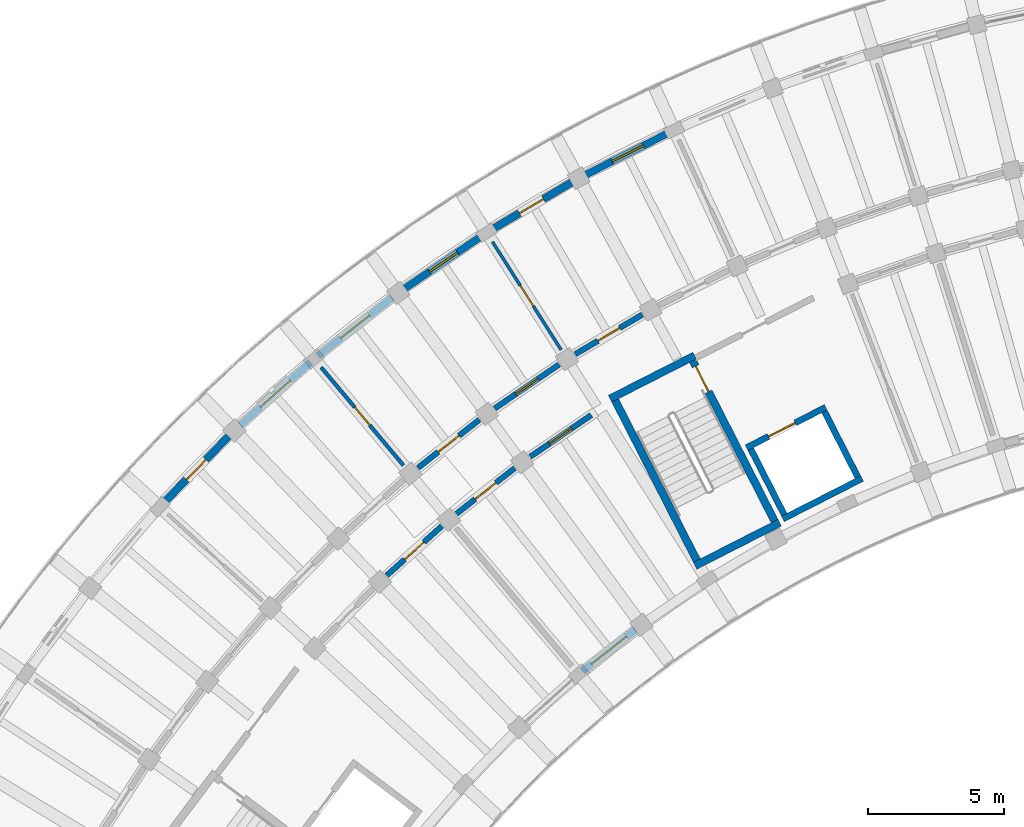
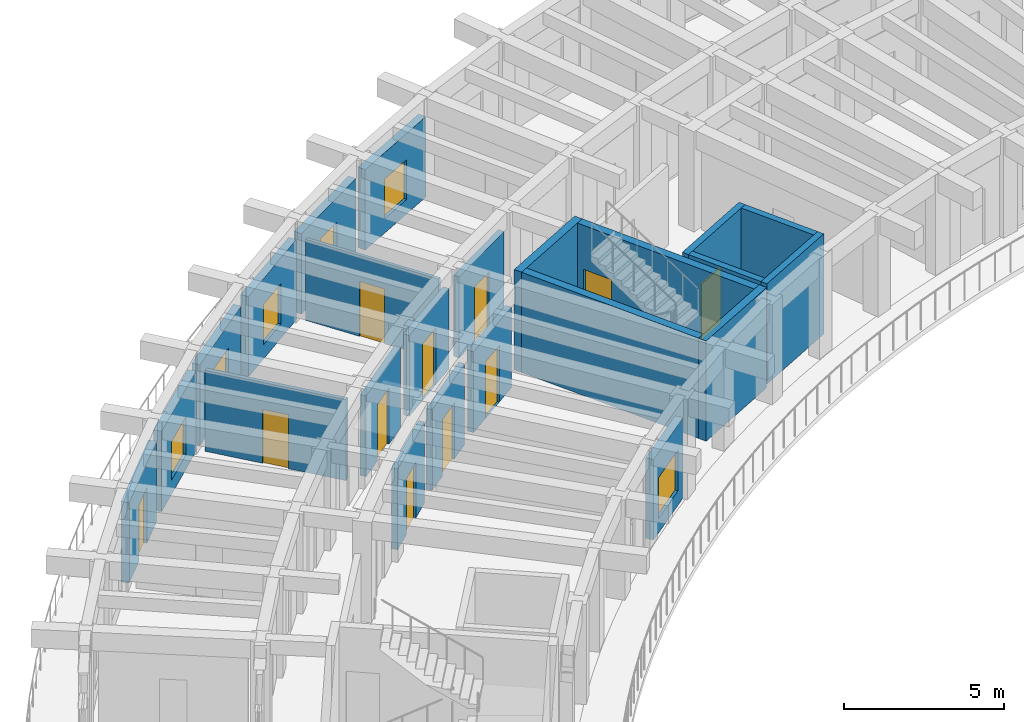
# One storey, part 89 of 128: 23 walls, 12 doors, 5 windows, 17 openings.
"""IFC4 building model written with IfcOpenShell, lengths in metres."""

from ifc_helpers import new_model, si_unit, direction, frame, frame_2d, origin, place, context, subcontext, project, spatial, rectangle, extrude, material, layer, layer_set, type_object, element, fill, save


model = new_model("IFC4")

# Units and contexts
model_context = context("Model", 3, precision=1e-05, world=origin(), true_north=direction((0.0, 1.0)))
body_context = subcontext(model_context, "Body", "Model", "MODEL_VIEW")
ifc_project = project(units=[si_unit("LENGTHUNIT", "METRE"), si_unit("AREAUNIT", "SQUARE_METRE"), si_unit("VOLUMEUNIT", "CUBIC_METRE"), si_unit("PLANEANGLEUNIT", "RADIAN"), si_unit("MASSUNIT", "GRAM", prefix="KILO")], contexts=[model_context])

# Site, building, storey
site_placement = place(None, origin())
site = spatial("IfcSite", under=ifc_project, at=site_placement, CompositionType="ELEMENT")
building_placement = place(site_placement, origin())
building = spatial("IfcBuilding", under=site, at=building_placement, Name="Tanwirah Colonnade Gardens", CompositionType="ELEMENT")
storey_placement = place(building_placement, frame((0.0, 0.0, 4.760009765625)))
storey = spatial("IfcBuildingStorey", under=building, at=storey_placement, Name="L01", CompositionType="ELEMENT", Elevation=4.760009765625)

# Wall, opening, window
ifc_material_1 = material(Name="Limestone architectural precast concrete C40/50", Category="masonry")
ifc_layer_1 = layer(ifc_material_1, 0.27001953125)
ifc_layer_set_1 = layer_set([ifc_layer_1], Name="Limestone architectural precast concrete C40/50")
wall_type_1 = type_object("IfcWallType", Name="EW-PC270", PredefinedType="SOLIDWALL", material=ifc_layer_set_1)
wall_1_placement = place(storey_placement, frame((39.777099609375, 114.13818359375, 0.0), z_axis=(0.0, 0.0, 1.0), x_axis=(-0.892772658884, -0.450507468915, 0.0)))
wall_1 = element("IfcWall", 1, at=wall_1_placement, inside=storey, type_object=wall_type_1, Name="Block A L01 OUT Precast Facade Wall 5", PredefinedType="SOLIDWALL", context=body_context, shape_type="SweptSolid", body=[
    extrude(rectangle(XDim=3.465576171875, YDim=0.27001953125, at=frame_2d((1.73291015625, 0.0))), origin(), (0.0, 0.0, 1.0), 3.074951171875),
])
opening_1_placement = place(wall_1_placement, frame((1.093017578125, 0.0, 0.550048828125)))
opening_1 = element("IfcOpeningElement", 2, at=opening_1_placement, cuts=wall_1, Name="Opening WIN-T17", PredefinedType="OPENING", context=body_context, shape_type="SweptSolid", body=[
    extrude(rectangle(XDim=1.280029296875, YDim=1.52001953125, at=frame_2d((0.64013671875, 0.760009765625))), frame((0.0, 0.14501953125, 0.0), z_axis=(0.0, -1.0, 0.0), x_axis=(1.0, 0.0, 0.0)), (0.0, 0.0, 1.0), 0.2900390625),
])
ifc_material_2 = material(Name="Thermally broken bronze aluminium and solar low-E double glazing", Category="aluminium")
window_type_1 = type_object("IfcWindowType", Name="WIN-T17", PartitioningType="SINGLE_PANEL", PredefinedType="WINDOW", material=ifc_material_2)
window_1_placement = place(opening_1_placement, origin())
window_1 = element("IfcWindow", 3, at=window_1_placement, inside=storey, type_object=window_type_1, Name="Facade window A-L01-OUT-05", OverallHeight=1.52001953125, OverallWidth=1.280029296875, PartitioningType="SINGLE_PANEL", PredefinedType="WINDOW", context=body_context, shape_type="SweptSolid", body=[
    extrude(rectangle(XDim=1.280029296875, YDim=1.52001953125, at=frame_2d((0.64013671875, 0.760009765625))), frame((0.0, 0.030029296875, 0.0), z_axis=(0.0, -1.0, 0.0), x_axis=(1.0, 0.0, 0.0)), (0.0, 0.0, 1.0), 0.06005859375),
])
fill(opening_1, window_1)

# Wall, opening, door
wall_2_placement = place(storey_placement, frame((36.19189453125, 112.308349609375, 0.0), z_axis=(0.0, 0.0, 1.0), x_axis=(-0.861120000949, -0.508401754487, 0.0)))
wall_2 = element("IfcWall", 4, at=wall_2_placement, inside=storey, type_object=wall_type_1, Name="Block A L01 OUT Precast Facade Wall 6", PredefinedType="SOLIDWALL", context=body_context, shape_type="SweptSolid", body=[
    extrude(rectangle(XDim=3.465576171875, YDim=0.27001953125, at=frame_2d((1.73291015625, 0.0))), origin(), (0.0, 0.0, 1.0), 3.074951171875),
])
opening_2_placement = place(wall_2_placement, frame((1.222900390625, 0.0, 0.0)))
opening_2 = element("IfcOpeningElement", 5, at=opening_2_placement, cuts=wall_2, Name="Opening L01-ED005", PredefinedType="OPENING", context=body_context, shape_type="SweptSolid", body=[
    extrude(rectangle(XDim=1.02001953125, YDim=2.139892578125, at=frame_2d((0.510009765625, 1.06982421875))), frame((0.0, 0.14501953125, 0.0), z_axis=(0.0, -1.0, 0.0), x_axis=(1.0, 0.0, 0.0)), (0.0, 0.0, 1.0), 0.2900390625),
])
ifc_material_3 = material(Name="Bronze aluminium glazed balcony door", Category="aluminium")
door_type_1 = type_object("IfcDoorType", Name="ED-BAL102", OperationType="NOTDEFINED", PredefinedType="DOOR", material=ifc_material_3)
door_1_placement = place(opening_2_placement, origin())
door_1 = element("IfcDoor", 6, at=door_1_placement, inside=storey, type_object=door_type_1, Name="Balcony glazed door L01-ED005", OperationType="SINGLE_SWING_RIGHT", OverallHeight=2.139892578125, OverallWidth=1.02001953125, PredefinedType="DOOR", context=body_context, shape_type="SweptSolid", body=[
    extrude(rectangle(XDim=1.02001953125, YDim=2.139892578125, at=frame_2d((0.510009765625, 1.06982421875))), frame((0.0, 0.02490234375, 0.0), z_axis=(0.0, -1.0, 0.0), x_axis=(1.0, 0.0, 0.0)), (0.0, 0.0, 1.0), 0.050048828125),
])
fill(opening_2, door_1)

# Wall, opening, window
wall_3_placement = place(storey_placement, frame((32.90380859375, 110.353515625, 0.0), z_axis=(0.0, 0.0, 1.0), x_axis=(-0.825744165268, -0.564044832904, 0.0)))
wall_3 = element("IfcWall", 7, at=wall_3_placement, inside=storey, type_object=wall_type_1, Name="Block A L01 OUT Precast Facade Wall 7", PredefinedType="SOLIDWALL", context=body_context, shape_type="SweptSolid", body=[
    extrude(rectangle(XDim=3.4658203125, YDim=0.27001953125, at=frame_2d((1.73291015625, 0.0))), origin(), (0.0, 0.0, 1.0), 3.074951171875),
])
opening_3_placement = place(wall_3_placement, frame((1.11279296875, 0.0, 0.550048828125)))
opening_3 = element("IfcOpeningElement", 8, at=opening_3_placement, cuts=wall_3, Name="Opening WIN-U03", PredefinedType="OPENING", context=body_context, shape_type="SweptSolid", body=[
    extrude(rectangle(XDim=1.239990234375, YDim=1.534912109375, at=frame_2d((0.6201171875, 0.767578125))), frame((0.0, 0.14501953125, 0.0), z_axis=(0.0, -1.0, 0.0), x_axis=(1.0, 0.0, 0.0)), (0.0, 0.0, 1.0), 0.2900390625),
])
window_type_2 = type_object("IfcWindowType", Name="WIN-U03", PartitioningType="DOUBLE_PANEL_VERTICAL", PredefinedType="WINDOW", material=ifc_material_2)
window_2_placement = place(opening_3_placement, origin())
window_2 = element("IfcWindow", 9, at=window_2_placement, inside=storey, type_object=window_type_2, Name="Facade window A-L01-OUT-07", OverallHeight=1.534912109375, OverallWidth=1.239990234375, PartitioningType="SINGLE_PANEL", PredefinedType="WINDOW", context=body_context, shape_type="SweptSolid", body=[
    extrude(rectangle(XDim=1.239990234375, YDim=1.534912109375, at=frame_2d((0.6201171875, 0.767578125))), frame((0.0, 0.030029296875, 0.0), z_axis=(0.0, -1.0, 0.0), x_axis=(1.0, 0.0, 0.0)), (0.0, 0.0, 1.0), 0.06005859375),
])
fill(opening_3, window_2)

wall_4_placement = place(storey_placement, frame((29.590576171875, 108.068115234375, 0.0), z_axis=(0.0, 0.0, 1.0), x_axis=(-0.786811832484, -0.617192952214, 0.0)))
wall_4 = element("IfcWall", 10, at=wall_4_placement, inside=storey, type_object=wall_type_1, Name="Block A L01 OUT Precast Facade Wall 8", PredefinedType="SOLIDWALL", context=body_context, shape_type="SweptSolid", body=[
    extrude(rectangle(XDim=3.466064453125, YDim=0.27001953125, at=frame_2d((1.73291015625, 0.0))), origin(), (0.0, 0.0, 1.0), 3.074951171875),
])
opening_4_placement = place(wall_4_placement, frame((1.052978515625, 0.0, 0.550048828125)))
opening_4 = element("IfcOpeningElement", 11, at=opening_4_placement, cuts=wall_4, Name="Opening WIN-U06", PredefinedType="OPENING", context=body_context, shape_type="SweptSolid", body=[
    extrude(rectangle(XDim=1.360107421875, YDim=1.610107421875, at=frame_2d((0.68017578125, 0.80517578125))), frame((0.0, 0.14501953125, 0.0), z_axis=(0.0, -1.0, 0.0), x_axis=(1.0, 0.0, 0.0)), (0.0, 0.0, 1.0), 0.2900390625),
])
window_type_3 = type_object("IfcWindowType", Name="WIN-U06", PartitioningType="DOUBLE_PANEL_VERTICAL", PredefinedType="WINDOW", material=ifc_material_2)
window_3_placement = place(opening_4_placement, origin())
window_3 = element("IfcWindow", 12, at=window_3_placement, inside=storey, type_object=window_type_3, Name="Facade window A-L01-OUT-08", OverallHeight=1.610107421875, OverallWidth=1.360107421875, PartitioningType="SINGLE_PANEL", PredefinedType="WINDOW", context=body_context, shape_type="SweptSolid", body=[
    extrude(rectangle(XDim=1.360107421875, YDim=1.610107421875, at=frame_2d((0.68017578125, 0.80517578125))), frame((0.0, 0.030029296875, 0.0), z_axis=(0.0, -1.0, 0.0), x_axis=(1.0, 0.0, 0.0)), (0.0, 0.0, 1.0), 0.06005859375),
])
fill(opening_4, window_3)

wall_5_placement = place(storey_placement, frame((38.513427734375, 95.886474609375, 0.0), z_axis=(0.0, 0.0, 1.0), x_axis=(-0.786801657762, -0.617205922965, 0.0)))
wall_5 = element("IfcWall", 13, at=wall_5_placement, inside=storey, type_object=wall_type_1, Name="Block A L01 IN Precast Facade Wall 8", PredefinedType="SOLIDWALL", context=body_context, shape_type="SweptSolid", body=[
    extrude(rectangle(XDim=2.47021484375, YDim=0.27001953125, at=frame_2d((1.235107421875, 0.0))), origin(), (0.0, 0.0, 1.0), 3.074951171875),
])
opening_5_placement = place(wall_5_placement, frame((0.4150390625, 0.0, 0.550048828125)))
opening_5 = element("IfcOpeningElement", 14, at=opening_5_placement, cuts=wall_5, Name="Opening WIN-U13", PredefinedType="OPENING", context=body_context, shape_type="SweptSolid", body=[
    extrude(rectangle(XDim=1.639892578125, YDim=1.56005859375, at=frame_2d((0.81982421875, 0.780029296875))), frame((0.0, 0.14501953125, 0.0), z_axis=(0.0, -1.0, 0.0), x_axis=(1.0, 0.0, 0.0)), (0.0, 0.0, 1.0), 0.2900390625),
])
window_type_4 = type_object("IfcWindowType", Name="WIN-U13", PartitioningType="DOUBLE_PANEL_VERTICAL", PredefinedType="WINDOW", material=ifc_material_2)
window_4_placement = place(opening_5_placement, origin())
window_4 = element("IfcWindow", 15, at=window_4_placement, inside=storey, type_object=window_type_4, Name="Facade window A-L01-IN-08", OverallHeight=1.56005859375, OverallWidth=1.639892578125, PartitioningType="SINGLE_PANEL", PredefinedType="WINDOW", context=body_context, shape_type="SweptSolid", body=[
    extrude(rectangle(XDim=1.639892578125, YDim=1.56005859375, at=frame_2d((0.81982421875, 0.780029296875))), frame((0.0, 0.030029296875, 0.0), z_axis=(0.0, -1.0, 0.0), x_axis=(1.0, 0.0, 0.0)), (0.0, 0.0, 1.0), 0.06005859375),
])
fill(opening_5, window_4)

wall_6_placement = place(storey_placement, frame((26.587890625, 105.69775390625, 0.0), z_axis=(0.0, 0.0, 1.0), x_axis=(-0.744424533251, -0.667706607945, 0.0)))
wall_6 = element("IfcWall", 16, at=wall_6_placement, inside=storey, type_object=wall_type_1, Name="Block A L01 OUT Precast Facade Wall 9", PredefinedType="SOLIDWALL", context=body_context, shape_type="SweptSolid", body=[
    extrude(rectangle(XDim=3.465576171875, YDim=0.27001953125, at=frame_2d((1.73291015625, 0.0))), origin(), (0.0, 0.0, 1.0), 3.074951171875),
])
opening_6_placement = place(wall_6_placement, frame((0.992919921875, 0.0, 0.550048828125)))
opening_6 = element("IfcOpeningElement", 17, at=opening_6_placement, cuts=wall_6, Name="Opening WIN-U09", PredefinedType="OPENING", context=body_context, shape_type="SweptSolid", body=[
    extrude(rectangle(XDim=1.47998046875, YDim=1.4599609375, at=frame_2d((0.739990234375, 0.72998046875))), frame((0.0, 0.14501953125, 0.0), z_axis=(0.0, -1.0, 0.0), x_axis=(1.0, 0.0, 0.0)), (0.0, 0.0, 1.0), 0.2900390625),
])
window_type_5 = type_object("IfcWindowType", Name="WIN-U09", PartitioningType="DOUBLE_PANEL_VERTICAL", PredefinedType="WINDOW", material=ifc_material_2)
window_5_placement = place(opening_6_placement, origin())
window_5 = element("IfcWindow", 18, at=window_5_placement, inside=storey, type_object=window_type_5, Name="Facade window A-L01-OUT-09", OverallHeight=1.4599609375, OverallWidth=1.47998046875, PartitioningType="SINGLE_PANEL", PredefinedType="WINDOW", context=body_context, shape_type="SweptSolid", body=[
    extrude(rectangle(XDim=1.47998046875, YDim=1.4599609375, at=frame_2d((0.739990234375, 0.72998046875))), frame((0.0, 0.030029296875, 0.0), z_axis=(0.0, -1.0, 0.0), x_axis=(1.0, 0.0, 0.0)), (0.0, 0.0, 1.0), 0.06005859375),
])
fill(opening_6, window_5)

# Wall, opening, door
wall_7_placement = place(storey_placement, frame((23.603759765625, 102.99658203125, 0.0), z_axis=(0.0, 0.0, 1.0), x_axis=(-0.698816652755, -0.715300835895, 0.0)))
wall_7 = element("IfcWall", 19, at=wall_7_placement, inside=storey, type_object=wall_type_1, Name="Block A L01 OUT Precast Facade Wall 10", PredefinedType="SOLIDWALL", context=body_context, shape_type="SweptSolid", body=[
    extrude(rectangle(XDim=3.465576171875, YDim=0.27001953125, at=frame_2d((1.73291015625, 0.0))), origin(), (0.0, 0.0, 1.0), 3.074951171875),
])
opening_7_placement = place(wall_7_placement, frame((1.222900390625, 0.0, 0.0)))
opening_7 = element("IfcOpeningElement", 20, at=opening_7_placement, cuts=wall_7, Name="Opening L01-ED006", PredefinedType="OPENING", context=body_context, shape_type="SweptSolid", body=[
    extrude(rectangle(XDim=1.02001953125, YDim=2.139892578125, at=frame_2d((0.510009765625, 1.06982421875))), frame((0.0, 0.14501953125, 0.0), z_axis=(0.0, -1.0, 0.0), x_axis=(1.0, 0.0, 0.0)), (0.0, 0.0, 1.0), 0.2900390625),
])
door_2_placement = place(opening_7_placement, origin())
door_2 = element("IfcDoor", 21, at=door_2_placement, inside=storey, type_object=door_type_1, Name="Balcony glazed door L01-ED006", OperationType="SINGLE_SWING_RIGHT", OverallHeight=2.139892578125, OverallWidth=1.02001953125, PredefinedType="DOOR", context=body_context, shape_type="SweptSolid", body=[
    extrude(rectangle(XDim=1.02001953125, YDim=2.139892578125, at=frame_2d((0.510009765625, 1.06982421875))), frame((0.0, 0.02490234375, 0.0), z_axis=(0.0, -1.0, 0.0), x_axis=(1.0, 0.0, 0.0)), (0.0, 0.0, 1.0), 0.050048828125),
])
fill(opening_7, door_2)

ifc_material_4 = material(Name="Precast concrete C40/50", Category="concrete")
ifc_layer_2 = layer(ifc_material_4, 0.205078125)
ifc_layer_set_2 = layer_set([ifc_layer_2], Name="Precast concrete C40/50")
wall_type_2 = type_object("IfcWallType", Name="IW-CORR205", PredefinedType="PARTITIONING", material=ifc_layer_set_2)
wall_8_placement = place(storey_placement, frame((38.77001953125, 107.447021484375, 0.0), z_axis=(0.0, 0.0, 1.0), x_axis=(-0.861113214678, -0.508413248753, 0.0)))
wall_8 = element("IfcWall", 22, at=wall_8_placement, inside=storey, type_object=wall_type_2, Name="Block A L01 OUT Corridor Wall 6", PredefinedType="PARTITIONING", context=body_context, shape_type="SweptSolid", body=[
    extrude(rectangle(XDim=2.863037109375, YDim=0.205078125, at=frame_2d((1.431640625, 0.0))), origin(), (0.0, 0.0, 1.0), 3.090087890625),
])
opening_8_placement = place(wall_8_placement, frame((0.966552734375, 0.0, 0.0)))
opening_8 = element("IfcOpeningElement", 23, at=opening_8_placement, cuts=wall_8, Name="Opening L01-AD277", PredefinedType="OPENING", context=body_context, shape_type="SweptSolid", body=[
    extrude(rectangle(XDim=0.929931640625, YDim=2.1201171875, at=frame_2d((0.46484375, 1.06005859375))), frame((0.0, 0.112548828125, 0.0), z_axis=(0.0, -1.0, 0.0), x_axis=(1.0, 0.0, 0.0)), (0.0, 0.0, 1.0), 0.22509765625),
])
ifc_material_5 = material(Name="Solid oak fire-resisting apartment entrance door")
door_type_2 = type_object("IfcDoorType", Name="ID-FLT093", OperationType="NOTDEFINED", PredefinedType="DOOR", material=ifc_material_5)
door_3_placement = place(opening_8_placement, origin())
door_3 = element("IfcDoor", 24, at=door_3_placement, inside=storey, type_object=door_type_2, Name="Apartment corridor door L01-AD277", OperationType="SINGLE_SWING_RIGHT", OverallHeight=2.1201171875, OverallWidth=0.929931640625, PredefinedType="DOOR", context=body_context, shape_type="SweptSolid", body=[
    extrude(rectangle(XDim=0.929931640625, YDim=2.1201171875, at=frame_2d((0.46484375, 1.06005859375))), frame((0.0, 0.02490234375, 0.0), z_axis=(0.0, -1.0, 0.0), x_axis=(1.0, 0.0, 0.0)), (0.0, 0.0, 1.0), 0.050048828125),
])
fill(opening_8, door_3)

wall_9_placement = place(storey_placement, frame((35.714111328125, 105.615966796875, 0.0), z_axis=(0.0, 0.0, 1.0), x_axis=(-0.825779671787, -0.563992848947, 0.0)))
wall_9 = element("IfcWall", 25, at=wall_9_placement, inside=storey, type_object=wall_type_2, Name="Block A L01 OUT Corridor Wall 7", PredefinedType="PARTITIONING", context=body_context, shape_type="SweptSolid", body=[
    extrude(rectangle(XDim=2.863037109375, YDim=0.205078125, at=frame_2d((1.431640625, 0.0))), origin(), (0.0, 0.0, 1.0), 3.090087890625),
])
opening_9_placement = place(wall_9_placement, frame((0.9365234375, 0.0, 0.0)))
opening_9 = element("IfcOpeningElement", 26, at=opening_9_placement, cuts=wall_9, Name="Opening L01-AD279", PredefinedType="OPENING", context=body_context, shape_type="SweptSolid", body=[
    extrude(rectangle(XDim=0.989990234375, YDim=2.159912109375, at=frame_2d((0.4951171875, 1.080078125))), frame((0.0, 0.112548828125, 0.0), z_axis=(0.0, -1.0, 0.0), x_axis=(1.0, 0.0, 0.0)), (0.0, 0.0, 1.0), 0.22509765625),
])
door_type_3 = type_object("IfcDoorType", Name="ID-FLT099", OperationType="NOTDEFINED", PredefinedType="DOOR", material=ifc_material_5)
door_4_placement = place(opening_9_placement, origin())
door_4 = element("IfcDoor", 27, at=door_4_placement, inside=storey, type_object=door_type_3, Name="Apartment corridor door L01-AD279", OperationType="SINGLE_SWING_LEFT", OverallHeight=2.159912109375, OverallWidth=0.989990234375, PredefinedType="DOOR", context=body_context, shape_type="SweptSolid", body=[
    extrude(rectangle(XDim=0.989990234375, YDim=2.159912109375, at=frame_2d((0.4951171875, 1.080078125))), frame((0.0, 0.02490234375, 0.0), z_axis=(0.0, -1.0, 0.0), x_axis=(1.0, 0.0, 0.0)), (0.0, 0.0, 1.0), 0.050048828125),
])
fill(opening_9, door_4)

wall_10_placement = place(storey_placement, frame((36.89453125, 103.759521484375, 0.0), z_axis=(0.0, 0.0, 1.0), x_axis=(-0.825752009056, -0.56403334967, 0.0)))
wall_10 = element("IfcWall", 28, at=wall_10_placement, inside=storey, type_object=wall_type_2, Name="Block A L01 IN Corridor Wall 7", PredefinedType="PARTITIONING", context=body_context, shape_type="SweptSolid", body=[
    extrude(rectangle(XDim=2.71826171875, YDim=0.205078125, at=frame_2d((1.359130859375, 0.0))), origin(), (0.0, 0.0, 1.0), 3.090087890625),
])
opening_10_placement = place(wall_10_placement, frame((0.864013671875, 0.0, 0.0)))
opening_10 = element("IfcOpeningElement", 29, at=opening_10_placement, cuts=wall_10, Name="Opening L01-AD280", PredefinedType="OPENING", context=body_context, shape_type="SweptSolid", body=[
    extrude(rectangle(XDim=0.989990234375, YDim=2.159912109375, at=frame_2d((0.4951171875, 1.080078125))), frame((0.0, 0.112548828125, 0.0), z_axis=(0.0, -1.0, 0.0), x_axis=(1.0, 0.0, 0.0)), (0.0, 0.0, 1.0), 0.22509765625),
])
door_5_placement = place(opening_10_placement, origin())
door_5 = element("IfcDoor", 30, at=door_5_placement, inside=storey, type_object=door_type_3, Name="Apartment corridor door L01-AD280", OperationType="SINGLE_SWING_RIGHT", OverallHeight=2.159912109375, OverallWidth=0.989990234375, PredefinedType="DOOR", context=body_context, shape_type="SweptSolid", body=[
    extrude(rectangle(XDim=0.989990234375, YDim=2.159912109375, at=frame_2d((0.4951171875, 1.080078125))), frame((0.0, 0.02490234375, 0.0), z_axis=(0.0, -1.0, 0.0), x_axis=(1.0, 0.0, 0.0)), (0.0, 0.0, 1.0), 0.050048828125),
])
fill(opening_10, door_5)

wall_11_placement = place(storey_placement, frame((32.785400390625, 103.587890625, 0.0), z_axis=(0.0, 0.0, 1.0), x_axis=(-0.786806323554, -0.617199975061, 0.0)))
wall_11 = element("IfcWall", 31, at=wall_11_placement, inside=storey, type_object=wall_type_2, Name="Block A L01 OUT Corridor Wall 8", PredefinedType="PARTITIONING", context=body_context, shape_type="SweptSolid", body=[
    extrude(rectangle(XDim=2.863037109375, YDim=0.205078125, at=frame_2d((1.431640625, 0.0))), origin(), (0.0, 0.0, 1.0), 3.090087890625),
])
opening_11_placement = place(wall_11_placement, frame((0.946533203125, 0.0, 0.0)))
opening_11 = element("IfcOpeningElement", 32, at=opening_11_placement, cuts=wall_11, Name="Opening L01-AD281", PredefinedType="OPENING", context=body_context, shape_type="SweptSolid", body=[
    extrude(rectangle(XDim=0.969970703125, YDim=2.14990234375, at=frame_2d((0.48486328125, 1.074951171875))), frame((0.0, 0.112548828125, 0.0), z_axis=(0.0, -1.0, 0.0), x_axis=(1.0, 0.0, 0.0)), (0.0, 0.0, 1.0), 0.22509765625),
])
door_type_4 = type_object("IfcDoorType", Name="ID-FLT097", OperationType="NOTDEFINED", PredefinedType="DOOR", material=ifc_material_5)
door_6_placement = place(opening_11_placement, origin())
door_6 = element("IfcDoor", 33, at=door_6_placement, inside=storey, type_object=door_type_4, Name="Apartment corridor door L01-AD281", OperationType="SINGLE_SWING_RIGHT", OverallHeight=2.14990234375, OverallWidth=0.969970703125, PredefinedType="DOOR", context=body_context, shape_type="SweptSolid", body=[
    extrude(rectangle(XDim=0.969970703125, YDim=2.14990234375, at=frame_2d((0.48486328125, 1.074951171875))), frame((0.0, 0.02490234375, 0.0), z_axis=(0.0, -1.0, 0.0), x_axis=(1.0, 0.0, 0.0)), (0.0, 0.0, 1.0), 0.050048828125),
])
fill(opening_11, door_6)

wall_12_placement = place(storey_placement, frame((34.08544921875, 101.81298828125, 0.0), z_axis=(0.0, 0.0, 1.0), x_axis=(-0.786835457019, -0.617162833924, 0.0)))
wall_12 = element("IfcWall", 34, at=wall_12_placement, inside=storey, type_object=wall_type_2, Name="Block A L01 IN Corridor Wall 8", PredefinedType="PARTITIONING", context=body_context, shape_type="SweptSolid", body=[
    extrude(rectangle(XDim=2.718017578125, YDim=0.205078125, at=frame_2d((1.35888671875, 0.0))), origin(), (0.0, 0.0, 1.0), 3.090087890625),
])
opening_12_placement = place(wall_12_placement, frame((0.8740234375, 0.0, 0.0)))
opening_12 = element("IfcOpeningElement", 35, at=opening_12_placement, cuts=wall_12, Name="Opening L01-AD282", PredefinedType="OPENING", context=body_context, shape_type="SweptSolid", body=[
    extrude(rectangle(XDim=0.969970703125, YDim=2.14990234375, at=frame_2d((0.48486328125, 1.074951171875))), frame((0.0, 0.112548828125, 0.0), z_axis=(0.0, -1.0, 0.0), x_axis=(1.0, 0.0, 0.0)), (0.0, 0.0, 1.0), 0.22509765625),
])
door_7_placement = place(opening_12_placement, origin())
door_7 = element("IfcDoor", 36, at=door_7_placement, inside=storey, type_object=door_type_4, Name="Apartment corridor door L01-AD282", OperationType="SINGLE_SWING_LEFT", OverallHeight=2.14990234375, OverallWidth=0.969970703125, PredefinedType="DOOR", context=body_context, shape_type="SweptSolid", body=[
    extrude(rectangle(XDim=0.969970703125, YDim=2.14990234375, at=frame_2d((0.48486328125, 1.074951171875))), frame((0.0, 0.02490234375, 0.0), z_axis=(0.0, -1.0, 0.0), x_axis=(1.0, 0.0, 0.0)), (0.0, 0.0, 1.0), 0.050048828125),
])
fill(opening_12, door_7)

wall_13_placement = place(storey_placement, frame((31.410888671875, 99.685791015625, 0.0), z_axis=(0.0, 0.0, 1.0), x_axis=(-0.744418559135, -0.667713268413, 0.0)))
wall_13 = element("IfcWall", 37, at=wall_13_placement, inside=storey, type_object=wall_type_2, Name="Block A L01 IN Corridor Wall 9", PredefinedType="PARTITIONING", context=body_context, shape_type="SweptSolid", body=[
    extrude(rectangle(XDim=2.71826171875, YDim=0.205078125, at=frame_2d((1.359130859375, 0.0))), origin(), (0.0, 0.0, 1.0), 3.090087890625),
])
opening_13_placement = place(wall_13_placement, frame((0.884033203125, 0.0, 0.0)))
opening_13 = element("IfcOpeningElement", 38, at=opening_13_placement, cuts=wall_13, Name="Opening L01-AD285", PredefinedType="OPENING", context=body_context, shape_type="SweptSolid", body=[
    extrude(rectangle(XDim=0.949951171875, YDim=2.1298828125, at=frame_2d((0.47509765625, 1.06494140625))), frame((0.0, 0.112548828125, 0.0), z_axis=(0.0, -1.0, 0.0), x_axis=(1.0, 0.0, 0.0)), (0.0, 0.0, 1.0), 0.22509765625),
])
door_type_5 = type_object("IfcDoorType", Name="ID-FLT095", OperationType="NOTDEFINED", PredefinedType="DOOR", material=ifc_material_5)
door_8_placement = place(opening_13_placement, origin())
door_8 = element("IfcDoor", 39, at=door_8_placement, inside=storey, type_object=door_type_5, Name="Apartment corridor door L01-AD285", OperationType="SINGLE_SWING_RIGHT", OverallHeight=2.1298828125, OverallWidth=0.949951171875, PredefinedType="DOOR", context=body_context, shape_type="SweptSolid", body=[
    extrude(rectangle(XDim=0.949951171875, YDim=2.1298828125, at=frame_2d((0.47509765625, 1.06494140625))), frame((0.0, 0.02490234375, 0.0), z_axis=(0.0, -1.0, 0.0), x_axis=(1.0, 0.0, 0.0)), (0.0, 0.0, 1.0), 0.050048828125),
])
fill(opening_13, door_8)

ifc_material_6 = material(Name="Acoustic gypsum stud partition")
ifc_layer_3 = layer(ifc_material_6, 0.114990234375)
ifc_layer_set_3 = layer_set([ifc_layer_3], Name="Acoustic gypsum stud partition")
wall_type_3 = type_object("IfcWallType", Name="IW-INT115", PredefinedType="PARTITIONING", material=ifc_layer_set_3)
wall_14_placement = place(storey_placement, frame((35.78857421875, 106.151123046875, 0.0), z_axis=(0.0, 0.0, 1.0), x_axis=(-0.536492262982, 0.843905238614, 0.0)))
wall_14 = element("IfcWall", 40, at=wall_14_placement, inside=storey, type_object=wall_type_3, Name="Block A L01 Radial Partition 6", PredefinedType="PARTITIONING", context=body_context, shape_type="SweptSolid", body=[
    extrude(rectangle(XDim=4.699951171875, YDim=0.114990234375, at=frame_2d((2.35009765625, 0.0))), origin(), (0.0, 0.0, 1.0), 3.090087890625),
])
opening_14_placement = place(wall_14_placement, frame((1.905029296875, 0.0, 0.0)))
opening_14 = element("IfcOpeningElement", 41, at=opening_14_placement, cuts=wall_14, Name="Opening L01-RD278", PredefinedType="OPENING", context=body_context, shape_type="SweptSolid", body=[
    extrude(rectangle(XDim=0.889892578125, YDim=2.10009765625, at=frame_2d((0.44482421875, 1.050048828125))), frame((0.0, 0.0673828125, 0.0), z_axis=(0.0, -1.0, 0.0), x_axis=(1.0, 0.0, 0.0)), (0.0, 0.0, 1.0), 0.135009765625),
])
ifc_material_7 = material(Name="Painted hardwood bedroom door", Category="wood")
door_type_6 = type_object("IfcDoorType", Name="ID-RM089", OperationType="NOTDEFINED", PredefinedType="DOOR", material=ifc_material_7)
door_9_placement = place(opening_14_placement, origin())
door_9 = element("IfcDoor", 42, at=door_9_placement, inside=storey, type_object=door_type_6, Name="Internal apartment door L01-RD278", OperationType="SINGLE_SWING_RIGHT", OverallHeight=2.10009765625, OverallWidth=0.889892578125, PredefinedType="DOOR", context=body_context, shape_type="SweptSolid", body=[
    extrude(rectangle(XDim=0.889892578125, YDim=2.10009765625, at=frame_2d((0.44482421875, 1.050048828125))), frame((0.0, 0.02490234375, 0.0), z_axis=(0.0, -1.0, 0.0), x_axis=(1.0, 0.0, 0.0)), (0.0, 0.0, 1.0), 0.050048828125),
])
fill(opening_14, door_9)

ifc_material_8 = material(Name="Water-resistant acoustic plumbing partition")
ifc_layer_4 = layer(ifc_material_8, 0.139892578125)
ifc_layer_set_4 = layer_set([ifc_layer_4], Name="Water-resistant acoustic plumbing partition")
wall_type_4 = type_object("IfcWallType", Name="IW-WET140", PredefinedType="PLUMBINGWALL", material=ifc_layer_set_4)
wall_15_placement = place(storey_placement, frame((30.000244140625, 101.9111328125, 0.0), z_axis=(0.0, 0.0, 1.0), x_axis=(-0.642811926223, 0.766024038465, 0.0)))
wall_15 = element("IfcWall", 43, at=wall_15_placement, inside=storey, type_object=wall_type_4, Name="Block A L01 Radial Partition 8", PredefinedType="PLUMBINGWALL", context=body_context, shape_type="SweptSolid", body=[
    extrude(rectangle(XDim=4.699951171875, YDim=0.139892578125, at=frame_2d((2.35009765625, 0.0))), origin(), (0.0, 0.0, 1.0), 3.090087890625),
])
opening_15_placement = place(wall_15_placement, frame((1.919921875, 0.0, 0.0)))
opening_15 = element("IfcOpeningElement", 44, at=opening_15_placement, cuts=wall_15, Name="Opening L01-RD283", PredefinedType="OPENING", context=body_context, shape_type="SweptSolid", body=[
    extrude(rectangle(XDim=0.860107421875, YDim=2.06005859375, at=frame_2d((0.43017578125, 1.030029296875))), frame((0.0, 0.079833984375, 0.0), z_axis=(0.0, -1.0, 0.0), x_axis=(1.0, 0.0, 0.0)), (0.0, 0.0, 1.0), 0.159912109375),
])
ifc_material_9 = material(Name="Moisture-resistant bathroom door")
door_type_7 = type_object("IfcDoorType", Name="ID-WET086", OperationType="NOTDEFINED", PredefinedType="DOOR", material=ifc_material_9)
door_10_placement = place(opening_15_placement, origin())
door_10 = element("IfcDoor", 45, at=door_10_placement, inside=storey, type_object=door_type_7, Name="Internal apartment door L01-RD283", OperationType="SINGLE_SWING_RIGHT", OverallHeight=2.06005859375, OverallWidth=0.860107421875, PredefinedType="DOOR", context=body_context, shape_type="SweptSolid", body=[
    extrude(rectangle(XDim=0.860107421875, YDim=2.06005859375, at=frame_2d((0.43017578125, 1.030029296875))), frame((0.0, 0.02490234375, 0.0), z_axis=(0.0, -1.0, 0.0), x_axis=(1.0, 0.0, 0.0)), (0.0, 0.0, 1.0), 0.050048828125),
])
fill(opening_15, door_10)

# Walls
ifc_material_10 = material(Name="Concrete C45/55", Category="concrete")
ifc_layer_5 = layer(ifc_material_10, 0.280029296875)
ifc_layer_set_5 = layer_set([ifc_layer_5], Name="Concrete C45/55")
wall_type_5 = type_object("IfcWallType", Name="SW-CORE280", PredefinedType="SHEAR", material=ifc_layer_set_5)
wall_16_placement = place(storey_placement, frame((37.7734375, 104.295654296875, 0.0), z_axis=(0.0, 0.0, 1.0), x_axis=(0.453992276384, -0.891005618941, 0.0)))
element("IfcWall", 46, at=wall_16_placement, inside=storey, type_object=wall_type_5, Name="CORE-A1 L01 Stair Shaft Shear Wall LEFT", PredefinedType="SHEAR", context=body_context, shape_type="SweptSolid", body=[
    extrude(rectangle(XDim=6.599853515625, YDim=0.280029296875, at=frame_2d((3.2998046875, 0.0))), origin(), (0.0, 0.0, 1.0), 3.830078125),
])
for number, where, z_axis, x_axis, name in (
    (47, (40.708740234375, 98.2265625, 0.0), (0.0, 0.0, 1.0), (0.891005763861, 0.453991991964, 0.0), "CORE-A1 L01 Stair Shaft Shear Wall FAR"),
    (48, (37.585205078125, 104.356689453125, 0.0), (0.0, 0.0, 1.0), (0.891020222667, 0.453963613958, 0.0), "CORE-A1 L01 Stair Shaft Shear Wall NEAR"),
):
    element("IfcWall", number, at=place(storey_placement, frame(where, z_axis=z_axis, x_axis=x_axis)), inside=storey, type_object=wall_type_5, Name=name, PredefinedType="SHEAR", context=body_context, shape_type="SweptSolid", body=[
        extrude(rectangle(XDim=3.47998046875, YDim=0.280029296875, at=frame_2d((1.739990234375, 0.0))), origin(), (0.0, 0.0, 1.0), 3.830078125),
    ])

# Wall, opening, door
wall_17_placement = place(storey_placement, frame((40.624755859375, 105.748291015625, 0.0), z_axis=(0.0, 0.0, 1.0), x_axis=(0.453992276384, -0.891005618941, 0.0)))
wall_17 = element("IfcWall", 49, at=wall_17_placement, inside=storey, type_object=wall_type_5, Name="CORE-A1 L01 Stair Shaft Shear Wall RIGHT", PredefinedType="SHEAR", context=body_context, shape_type="SweptSolid", body=[
    extrude(rectangle(XDim=6.599853515625, YDim=0.280029296875, at=frame_2d((3.2998046875, 0.0))), origin(), (0.0, 0.0, 1.0), 3.830078125),
])
opening_16_placement = place(wall_17_placement, frame((0.219970703125, 0.0, 0.0)))
opening_16 = element("IfcOpeningElement", 50, at=opening_16_placement, cuts=wall_17, Name="Opening L01-SD003", PredefinedType="OPENING", context=body_context, shape_type="SweptSolid", body=[
    extrude(rectangle(XDim=1.050048828125, YDim=2.14990234375, at=frame_2d((0.52490234375, 1.074951171875))), frame((0.0, 0.14990234375, 0.0), z_axis=(0.0, -1.0, 0.0), x_axis=(1.0, 0.0, 0.0)), (0.0, 0.0, 1.0), 0.300048828125),
])
ifc_material_11 = material(Name="Steel fire-resisting stair enclosure door", Category="steel")
door_type_8 = type_object("IfcDoorType", Name="ID-ST105", OperationType="NOTDEFINED", PredefinedType="DOOR", material=ifc_material_11)
door_11_placement = place(opening_16_placement, origin())
door_11 = element("IfcDoor", 51, at=door_11_placement, inside=storey, type_object=door_type_8, Name="CORE-A1 L01 Stair Fire Door L01-SD003", OperationType="SINGLE_SWING_RIGHT", OverallHeight=2.14990234375, OverallWidth=1.050048828125, PredefinedType="DOOR", context=body_context, shape_type="SweptSolid", body=[
    extrude(rectangle(XDim=1.050048828125, YDim=2.14990234375, at=frame_2d((0.52490234375, 1.074951171875))), frame((0.0, 0.02490234375, 0.0), z_axis=(0.0, -1.0, 0.0), x_axis=(1.0, 0.0, 0.0)), (0.0, 0.0, 1.0), 0.050048828125),
])
fill(opening_16, door_11)

ifc_layer_6 = layer(ifc_material_10, 0.22998046875)
ifc_layer_set_6 = layer_set([ifc_layer_6], Name="Concrete C45/55")
wall_type_6 = type_object("IfcWallType", Name="SW-LIFT230", PredefinedType="SHEAR", material=ifc_layer_set_6)
wall_18_placement = place(storey_placement, frame((42.5966796875, 102.561279296875, 0.0), z_axis=(0.0, 0.0, 1.0), x_axis=(0.891001200497, 0.454000947921, 0.0)))
wall_18 = element("IfcWall", 52, at=wall_18_placement, inside=storey, type_object=wall_type_6, Name="CORE-A1 L01 Lift Shaft Wall FRONT", PredefinedType="SHEAR", context=body_context, shape_type="SweptSolid", body=[
    extrude(rectangle(XDim=3.259765625, YDim=0.22998046875, at=frame_2d((1.6298828125, 0.0))), origin(), (0.0, 0.0, 1.0), 3.830078125),
])
opening_17_placement = place(wall_18_placement, frame((0.89990234375, 0.0, 0.0)))
opening_17 = element("IfcOpeningElement", 53, at=opening_17_placement, cuts=wall_18, Name="Opening L01-LD-FL-A1", PredefinedType="OPENING", context=body_context, shape_type="SweptSolid", body=[
    extrude(rectangle(XDim=1.10009765625, YDim=2.14990234375, at=frame_2d((0.550048828125, 1.074951171875))), frame((0.0, 0.125, 0.0), z_axis=(0.0, -1.0, 0.0), x_axis=(1.0, 0.0, 0.0)), (0.0, 0.0, 1.0), 0.25),
])
ifc_material_12 = material(Name="Stainless steel sliding fire lift landing door", Category="steel")
door_type_9 = type_object("IfcDoorType", Name="LD-FF11", OperationType="DOUBLE_DOOR_SLIDING", PredefinedType="DOOR", material=ifc_material_12)
door_12_placement = place(opening_17_placement, origin())
door_12 = element("IfcDoor", 54, at=door_12_placement, inside=storey, type_object=door_type_9, Name="Lift FL-A1 L01 Sliding Landing Door", OperationType="DOUBLE_DOOR_SLIDING", OverallHeight=2.14990234375, OverallWidth=1.10009765625, PredefinedType="DOOR", context=body_context, shape_type="SweptSolid", body=[
    extrude(rectangle(XDim=1.10009765625, YDim=2.14990234375, at=frame_2d((0.550048828125, 1.074951171875))), frame((0.0, 0.02490234375, 0.0), z_axis=(0.0, -1.0, 0.0), x_axis=(1.0, 0.0, 0.0)), (0.0, 0.0, 1.0), 0.050048828125),
])
fill(opening_17, door_12)

# Walls
wall_19_placement = place(storey_placement, frame((43.9267578125, 99.950439453125, 0.0), z_axis=(0.0, 0.0, 1.0), x_axis=(0.891016635648, 0.453970654337, 0.0)))
element("IfcWall", 55, at=wall_19_placement, inside=storey, type_object=wall_type_6, Name="CORE-A1 L01 Lift Shaft Wall BACK", PredefinedType="SHEAR", context=body_context, shape_type="SweptSolid", body=[
    extrude(rectangle(XDim=3.260009765625, YDim=0.22998046875, at=frame_2d((1.6298828125, 0.0))), origin(), (0.0, 0.0, 1.0), 3.830078125),
])
for number, where, z_axis, x_axis, name in (
    (56, (42.751220703125, 102.510986328125, 0.0), (0.0, 0.0, 1.0), (0.454000278178, -0.891001541758, 0.0), "CORE-A1 L01 Lift Shaft Wall SIDEA"),
    (57, (45.450927734375, 103.886474609375, 0.0), (0.0, 0.0, 1.0), (0.454000278178, -0.891001541758, 0.0), "CORE-A1 L01 Lift Shaft Wall SIDEB"),
):
    element("IfcWall", number, at=place(storey_placement, frame(where, z_axis=z_axis, x_axis=x_axis)), inside=storey, type_object=wall_type_6, Name=name, PredefinedType="SHEAR", context=body_context, shape_type="SweptSolid", body=[
        extrude(rectangle(XDim=2.699951171875, YDim=0.22998046875, at=frame_2d((1.35009765625, 0.0))), origin(), (0.0, 0.0, 1.0), 3.830078125),
    ])

save(model, "model.ifc")
